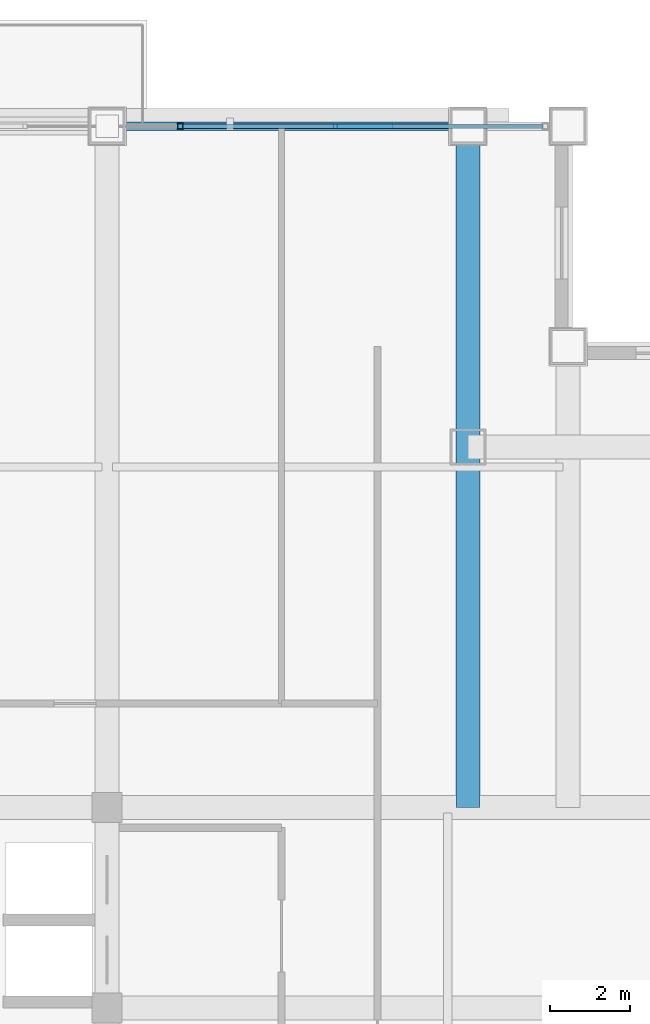
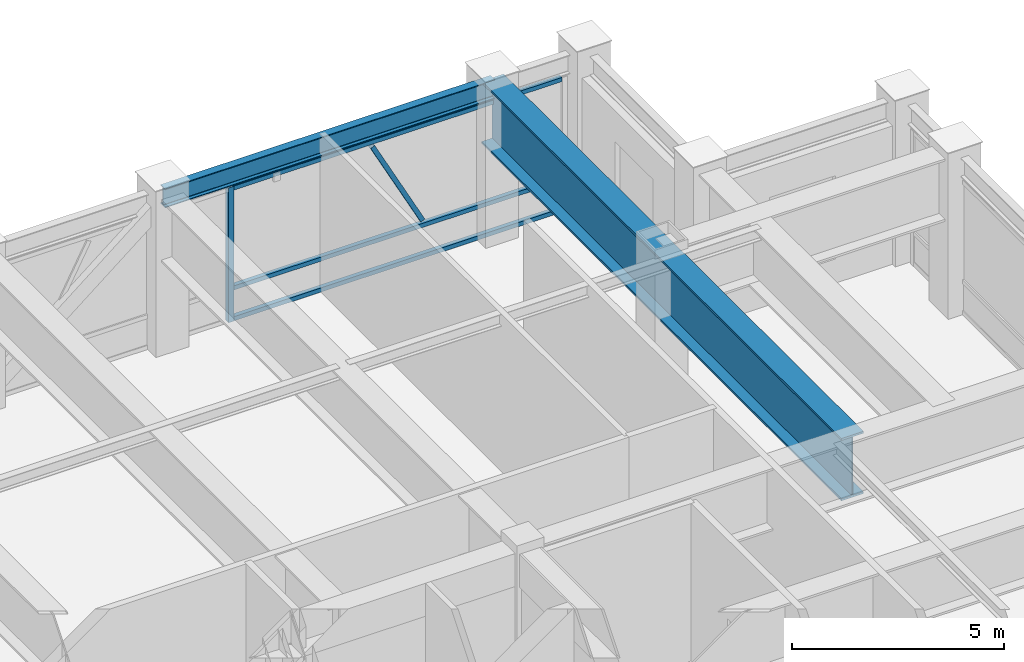
# One storey, part 19 of 31: 5 members, 2 beams, 1 element without a shape of its own.
"""IFC4 building model written with IfcOpenShell, lengths in metres."""

from ifc_helpers import new_model, si_unit, direction, frame, origin, origin_2d, place, context, subcontext, project, spatial, hollow_rectangle, i_section, extrude, source, transform, mapped, material, material_profile, profile_set, type_object, element, aggregate, save


model = new_model("IFC4")

# Units and contexts
model_context = context("Model", 3, precision=1e-05, world=origin(), true_north=direction((0.0, 1.0)))
body_context = subcontext(model_context, "Body", "Model", "MODEL_VIEW")
ifc_project = project(units=[si_unit("LENGTHUNIT", "METRE"), si_unit("AREAUNIT", "SQUARE_METRE"), si_unit("VOLUMEUNIT", "CUBIC_METRE"), si_unit("PLANEANGLEUNIT", "RADIAN"), si_unit("MASSUNIT", "GRAM", prefix="KILO")], contexts=[model_context])

# Site, building, storey
site_placement = place(None, origin())
site = spatial("IfcSite", under=ifc_project, at=site_placement, CompositionType="ELEMENT")
building_placement = place(site_placement, origin())
building = spatial("IfcBuilding", under=site, at=building_placement, Name="Khorayat Bourse Tower", CompositionType="ELEMENT")
storey_placement = place(building_placement, frame((0.0, 0.0, 321.5)))
storey = spatial("IfcBuildingStorey", under=building, at=storey_placement, Name="L76", CompositionType="ELEMENT", Elevation=321.5)

# Beams
ifc_material_1 = material(Name="Steel EN 10025-4 S460M", Category="steel")
ifc_material_profile_1 = material_profile(ifc_material_1, i_section(OverallWidth=0.60009765625, OverallDepth=1.800048828125, WebThickness=0.031982421875, FlangeThickness=0.06005859375, at=origin_2d()), Name="PG 1800x600x32x60")
ifc_profile_set_1 = profile_set([ifc_material_profile_1], Name="Steel EN 10025-4 S460M")
beam_type_1 = type_object("IfcBeamType", Name="BM-TR-1800", PredefinedType="BEAM", material=ifc_profile_set_1)
shared_shape_1 = source(origin(), body_context, "Body", "SweptSolid", [
    extrude(i_section(OverallWidth=0.60009765625, OverallDepth=1.800048828125, WebThickness=0.031982421875, FlangeThickness=0.06005859375, at=origin_2d()), origin(), (0.0, 0.0, 1.0), 17.0),
])
beam_1_placement = place(storey_placement, frame((20.0, 11.0, 3.60009765625), z_axis=(0.0, 1.0, 0.0), x_axis=(-1.0, 0.0, 0.0)))
element("IfcBeam", 1, at=beam_1_placement, inside=storey, type_object=beam_type_1, Name="L76 BM-TR-1800 BM-L76-CNRY-087", PredefinedType="BEAM", context=body_context, shape_type="MappedRepresentation", body=[
    mapped(shared_shape_1, transform((0.0, 0.0, 0.0), scale=1.0)),
])
ifc_material_2 = material(Name="Steel ASTM A992 Grade 50", Category="steel")
ifc_material_profile_2 = material_profile(ifc_material_2, i_section(OverallWidth=0.214111328125, OverallDepth=0.549072265625, WebThickness=0.0146484375, FlangeThickness=0.023681640625, FilletRadius=0.013916015625, at=origin_2d()), Name="W530X138")
ifc_profile_set_2 = profile_set([ifc_material_profile_2], Name="Steel ASTM A992 Grade 50")
beam_type_2 = type_object("IfcBeamType", Name="BM-SPAN-530", PredefinedType="SPANDREL", material=ifc_profile_set_2)
shared_shape_2 = source(origin(), body_context, "Body", "SweptSolid", [
    extrude(i_section(OverallWidth=0.214111328125, OverallDepth=0.549072265625, WebThickness=0.0146484375, FlangeThickness=0.023681640625, FilletRadius=0.013916015625, at=origin_2d()), origin(), (0.0, 0.0, 1.0), 9.0),
])
beam_2_placement = place(storey_placement, frame((11.0, 28.0, 4.2255859375), z_axis=(1.0, 0.0, 0.0), x_axis=(0.0, 1.0, 0.0)))
element("IfcBeam", 2, at=beam_2_placement, inside=storey, type_object=beam_type_2, Name="L76 BM-SPAN-530 BM-L76-SPN-045", PredefinedType="SPANDREL", context=body_context, shape_type="MappedRepresentation", body=[
    mapped(shared_shape_2, transform((0.0, 0.0, 0.0), scale=1.0)),
])

# Curtain wall, members
ifc_material_3 = material(Name="Aluminium EN AW-6063 T6", Category="aluminium")
curtain_wall_type = type_object("IfcCurtainWallType", Name="CW-SYS-05", PredefinedType="NOTDEFINED", material=ifc_material_3)
curtain_wall_placement = place(storey_placement, origin())
curtain_wall = element("IfcCurtainWall", 3, at=curtain_wall_placement, inside=storey, type_object=curtain_wall_type, Name="L76 Curtain Wall CW-L76-N2", PredefinedType="NOTDEFINED")
ifc_material_profile_3 = material_profile(ifc_material_3, hollow_rectangle(XDim=0.139892578125, YDim=0.139892578125, WallThickness=0.006103515625, at=origin_2d()), Name="ALU 140x140x6")
ifc_profile_set_3 = profile_set([ifc_material_profile_3], Name="Aluminium EN AW-6063 T6")
member_type_1 = type_object("IfcMemberType", Name="CWM-VERT-140", PredefinedType="MULLION", material=ifc_profile_set_3)
shared_shape_3 = source(origin(), body_context, "Body", "SweptSolid", [
    extrude(hollow_rectangle(XDim=0.139892578125, YDim=0.139892578125, WallThickness=0.006103515625, at=origin_2d()), origin(), (0.0, 0.0, 1.0), 3.889892578125),
])
member_1_placement = place(storey_placement, frame((12.824951171875, 28.0, 0.0), z_axis=(0.0, 0.0, 1.0), x_axis=(0.0, 1.0, 0.0)))
member_1 = element("IfcMember", 4, at=member_1_placement, type_object=member_type_1, Name="CW-L76-N2 Vertical Mullion 2", PredefinedType="MULLION", context=body_context, shape_type="MappedRepresentation", body=[
    mapped(shared_shape_3, transform((0.0, 0.0, 0.0), scale=1.0)),
])
ifc_material_profile_4 = material_profile(ifc_material_3, hollow_rectangle(XDim=0.1201171875, YDim=0.1201171875, WallThickness=0.0048828125, at=origin_2d()), Name="ALU 120x120x5")
ifc_profile_set_4 = profile_set([ifc_material_profile_4], Name="Aluminium EN AW-6063 T6")
member_type_2 = type_object("IfcMemberType", Name="CWM-DIAG-120", PredefinedType="MULLION", material=ifc_profile_set_4)
shared_shape_4 = source(origin(), body_context, "Body", "SweptSolid", [
    extrude(hollow_rectangle(XDim=0.1201171875, YDim=0.1201171875, WallThickness=0.0048828125, at=origin_2d()), origin(), (0.0, 0.0, 1.0), 2.93798828125),
])
member_2_placement = place(storey_placement, frame((18.061767578125, 28.0, 1.090087890625), z_axis=(-0.465763557035, 0.0, 0.884909209432), x_axis=(0.0, -1.0, 0.0)))
member_2 = element("IfcMember", 5, at=member_2_placement, type_object=member_type_2, Name="CW-L76-N2 Faceted Diagonal Mullion 2", PredefinedType="MULLION", context=body_context, shape_type="MappedRepresentation", body=[
    mapped(shared_shape_4, transform((0.0, 0.0, 0.0), scale=1.0)),
])
ifc_material_profile_5 = material_profile(ifc_material_3, hollow_rectangle(XDim=0.1201171875, YDim=0.1201171875, WallThickness=0.0048828125, at=origin_2d()), Name="ALU 120x120x5")
ifc_profile_set_5 = profile_set([ifc_material_profile_5], Name="Aluminium EN AW-6063 T6")
member_type_3 = type_object("IfcMemberType", Name="CWT-HORZ-120", PredefinedType="USERDEFINED", material=ifc_profile_set_5)
shared_shape_5 = source(origin(), body_context, "Body", "SweptSolid", [
    extrude(hollow_rectangle(XDim=0.1201171875, YDim=0.1201171875, WallThickness=0.0048828125, at=origin_2d()), origin(), (0.0, 0.0, 1.0), 8.965087890625),
])
member_3_placement = place(storey_placement, frame((12.89501953125, 28.0, 0.06005859375), z_axis=(1.0, 0.0, 0.0), x_axis=(0.0, 1.0, 0.0)))
member_3 = element("IfcMember", 6, at=member_3_placement, type_object=member_type_3, Name="CW-L76-N2 Horizontal Transom 2-1", ObjectType="TRANSOM", PredefinedType="USERDEFINED", context=body_context, shape_type="MappedRepresentation", body=[
    mapped(shared_shape_5, transform((0.0, 0.0, 0.0), scale=1.0)),
])
member_4_placement = place(storey_placement, frame((12.89501953125, 28.0, 0.949951171875), z_axis=(1.0, 0.0, 0.0), x_axis=(0.0, 1.0, 0.0)))
member_4 = element("IfcMember", 7, at=member_4_placement, type_object=member_type_3, Name="CW-L76-N2 Horizontal Transom 2-2", ObjectType="TRANSOM", PredefinedType="USERDEFINED", context=body_context, shape_type="MappedRepresentation", body=[
    mapped(shared_shape_5, transform((0.0, 0.0, 0.0), scale=1.0)),
])
member_5_placement = place(storey_placement, frame((12.89501953125, 28.0, 3.830078125), z_axis=(1.0, 0.0, 0.0), x_axis=(0.0, 1.0, 0.0)))
member_5 = element("IfcMember", 8, at=member_5_placement, type_object=member_type_3, Name="CW-L76-N2 Horizontal Transom 2-3", ObjectType="TRANSOM", PredefinedType="USERDEFINED", context=body_context, shape_type="MappedRepresentation", body=[
    mapped(shared_shape_5, transform((0.0, 0.0, 0.0), scale=1.0)),
])
aggregate(curtain_wall, [member_1, member_3, member_4, member_5, member_2])

save(model, "model.ifc")
